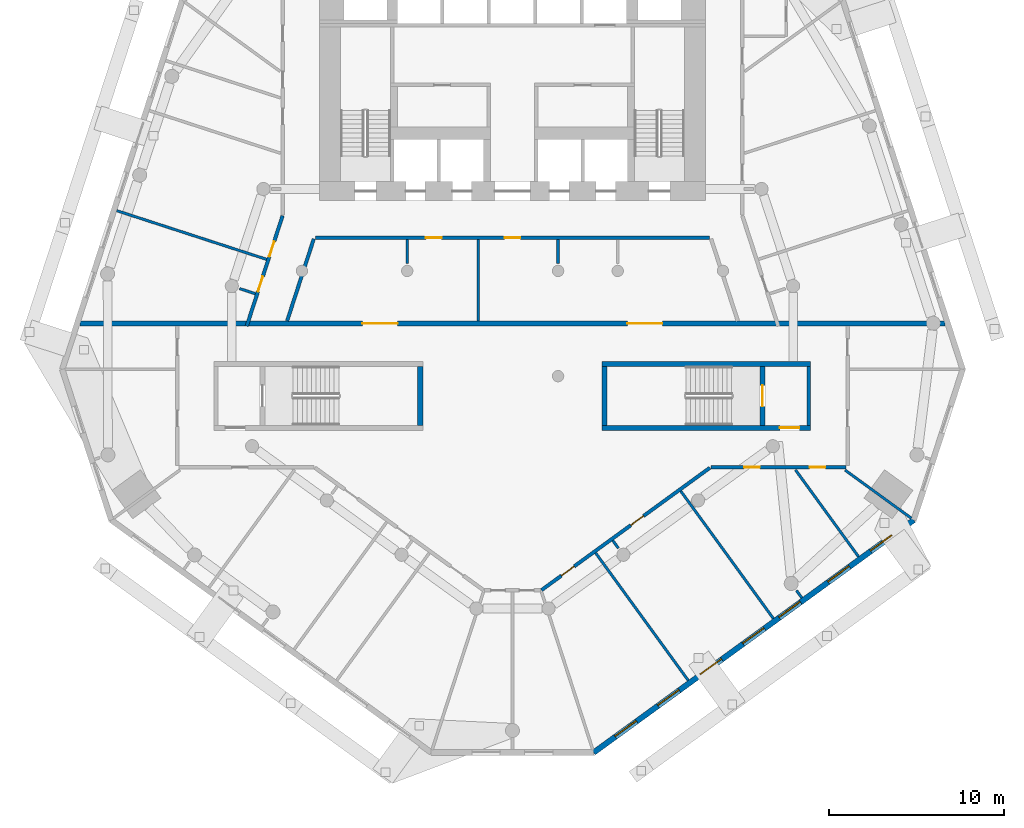
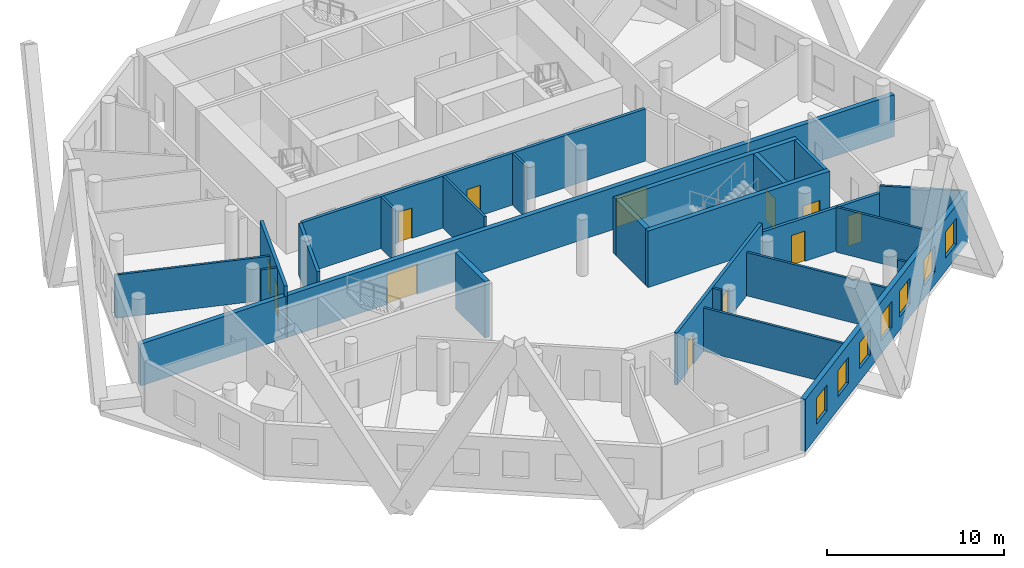
# One storey, part 4 of 10: 24 walls, 12 doors, 7 windows, 19 openings.
"""IFC4 building model written with IfcOpenShell, lengths in metres."""

from ifc_helpers import new_model, si_unit, direction, frame, frame_2d, origin, place, context, subcontext, project, spatial, rectangle, extrude, material, layer, layer_set, type_object, element, fill, save


model = new_model("IFC4")

# Units and contexts
model_context = context("Model", 3, precision=1e-05, world=origin(), true_north=direction((0.0, 1.0)))
body_context = subcontext(model_context, "Body", "Model", "MODEL_VIEW")
ifc_project = project(units=[si_unit("LENGTHUNIT", "METRE"), si_unit("AREAUNIT", "SQUARE_METRE"), si_unit("VOLUMEUNIT", "CUBIC_METRE"), si_unit("PLANEANGLEUNIT", "RADIAN"), si_unit("MASSUNIT", "GRAM", prefix="KILO")], contexts=[model_context])

# Site, building, storey
site_placement = place(None, origin())
site = spatial("IfcSite", under=ifc_project, at=site_placement, CompositionType="ELEMENT")
building_placement = place(site_placement, origin())
building = spatial("IfcBuilding", under=site, at=building_placement, Name="White Candle Pilgrim Tower", CompositionType="ELEMENT")
storey_placement = place(building_placement, frame((0.0, 0.0, 102.5)))
storey = spatial("IfcBuildingStorey", under=building, at=storey_placement, Name="L22", CompositionType="ELEMENT", Elevation=102.5)

# Wall
ifc_material_1 = material(Name="Concrete C60/75", Category="concrete")
ifc_layer_1 = layer(ifc_material_1, 0.199951171875)
ifc_layer_set_1 = layer_set([ifc_layer_1], Name="Core wall 200 mm Concrete C60/75")
wall_type_1 = type_object("IfcWallType", Name="Core wall 200 mm Concrete C60/75", PredefinedType="SHEAR", material=ifc_layer_set_1)
wall_1_placement = place(storey_placement, frame((86.89990234375, 58.199951171875, 0.0), z_axis=(0.0, 0.0, 1.0), x_axis=(0.0, 1.0, 0.0)))
element("IfcWall", 1, at=wall_1_placement, inside=storey, type_object=wall_type_1, Name="WL-L22-C08", PredefinedType="SHEAR", context=body_context, shape_type="SweptSolid", body=[
    extrude(rectangle(XDim=3.35009765625, YDim=0.199951171875, at=frame_2d((1.675048828125, 0.0))), origin(), (0.0, 0.0, 1.0), 3.89990234375),
])

# Wall, openings, doors
ifc_material_2 = material(Name="Gypsum board on steel studs", Category="steel")
ifc_layer_2 = layer(ifc_material_2, 0.199951171875)
ifc_layer_set_2 = layer_set([ifc_layer_2], Name="Corridor wall 200 mm EI 45")
wall_type_2 = type_object("IfcWallType", Name="Corridor wall 200 mm EI 45", PredefinedType="PARTITIONING", material=ifc_layer_set_2)
wall_2_placement = place(storey_placement, frame((54.850341796875, 63.85009765625, 0.0), z_axis=(0.0, 0.0, 1.0), x_axis=(0.309001809517, 0.951061450021, 0.0)))
wall_2 = element("IfcWall", 2, at=wall_2_placement, inside=storey, type_object=wall_type_2, Name="WL-L22-P002", PredefinedType="PARTITIONING", context=body_context, shape_type="SweptSolid", body=[
    extrude(rectangle(XDim=6.616943359375, YDim=0.199951171875, at=frame_2d((3.30859375, 0.0))), origin(), (0.0, 0.0, 1.0), 3.60009765625),
])
opening_1_placement = place(wall_2_placement, frame((2.076171875, 0.0, 0.0)))
opening_1 = element("IfcOpeningElement", 3, at=opening_1_placement, cuts=wall_2, Name="Opening T07-117", PredefinedType="OPENING", context=body_context, shape_type="SweptSolid", body=[
    extrude(rectangle(XDim=0.89990234375, YDim=2.10009765625, at=frame_2d((0.449951171875, 1.050048828125))), frame((0.0, 0.10986328125, 0.0), z_axis=(0.0, -1.0, 0.0), x_axis=(1.0, 0.0, 0.0)), (0.0, 0.0, 1.0), 0.219970703125),
])
opening_2_placement = place(wall_2_placement, frame((4.181884765625, 0.0, 0.0)))
opening_2 = element("IfcOpeningElement", 4, at=opening_2_placement, cuts=wall_2, Name="Opening T07-118", PredefinedType="OPENING", context=body_context, shape_type="SweptSolid", body=[
    extrude(rectangle(XDim=0.89990234375, YDim=2.10009765625, at=frame_2d((0.449951171875, 1.050048828125))), frame((0.0, 0.10986328125, 0.0), z_axis=(0.0, -1.0, 0.0), x_axis=(1.0, 0.0, 0.0)), (0.0, 0.0, 1.0), 0.219970703125),
])
ifc_material_3 = material(Name="Steel door leaf", Category="steel")
door_type_1 = type_object("IfcDoorType", Name="Fire door 900 x 2100 EI 30", OperationType="NOTDEFINED", PredefinedType="DOOR", material=ifc_material_3)
door_1_placement = place(opening_1_placement, origin())
door_1 = element("IfcDoor", 5, at=door_1_placement, inside=storey, type_object=door_type_1, Name="Door T07-117", OperationType="SINGLE_SWING_LEFT", OverallHeight=2.10009765625, OverallWidth=0.89990234375, PredefinedType="DOOR", context=body_context, shape_type="SweptSolid", body=[
    extrude(rectangle(XDim=0.89990234375, YDim=2.10009765625, at=frame_2d((0.449951171875, 1.050048828125))), frame((0.0, 0.02490234375, 0.0), z_axis=(0.0, -1.0, 0.0), x_axis=(1.0, 0.0, 0.0)), (0.0, 0.0, 1.0), 0.050048828125),
])
fill(opening_1, door_1)
door_2_placement = place(opening_2_placement, origin())
door_2 = element("IfcDoor", 6, at=door_2_placement, inside=storey, type_object=door_type_1, Name="Door T07-118", OperationType="SINGLE_SWING_RIGHT", OverallHeight=2.10009765625, OverallWidth=0.89990234375, PredefinedType="DOOR", context=body_context, shape_type="SweptSolid", body=[
    extrude(rectangle(XDim=0.89990234375, YDim=2.10009765625, at=frame_2d((0.449951171875, 1.050048828125))), frame((0.0, 0.02490234375, 0.0), z_axis=(0.0, -1.0, 0.0), x_axis=(1.0, 0.0, 0.0)), (0.0, 0.0, 1.0), 0.050048828125),
])
fill(opening_2, door_2)

wall_3_placement = place(storey_placement, frame((89.0, 55.800048828125, 0.0), z_axis=(0.0, 0.0, 1.0), x_axis=(-1.0, 0.0, 0.0)))
wall_3 = element("IfcWall", 7, at=wall_3_placement, inside=storey, type_object=wall_type_2, Name="WL-L22-P007", PredefinedType="PARTITIONING", context=body_context, shape_type="SweptSolid", body=[
    extrude(rectangle(XDim=7.68359375, YDim=0.199951171875, at=frame_2d((3.841796875, 0.0))), origin(), (0.0, 0.0, 1.0), 3.0),
])
opening_3_placement = place(wall_3_placement, frame((4.893310546875, 0.0, 0.0)))
opening_3 = element("IfcOpeningElement", 8, at=opening_3_placement, cuts=wall_3, Name="Opening T07-110", PredefinedType="OPENING", context=body_context, shape_type="SweptSolid", body=[
    extrude(rectangle(XDim=0.89990234375, YDim=2.10009765625, at=frame_2d((0.449951171875, 1.050048828125))), frame((0.0, 0.10986328125, 0.0), z_axis=(0.0, -1.0, 0.0), x_axis=(1.0, 0.0, 0.0)), (0.0, 0.0, 1.0), 0.219970703125),
])
opening_4_placement = place(wall_3_placement, frame((1.16162109375, 0.0, 0.0)))
opening_4 = element("IfcOpeningElement", 9, at=opening_4_placement, cuts=wall_3, Name="Opening T07-111", PredefinedType="OPENING", context=body_context, shape_type="SweptSolid", body=[
    extrude(rectangle(XDim=0.89990234375, YDim=2.10009765625, at=frame_2d((0.449951171875, 1.050048828125))), frame((0.0, 0.10986328125, 0.0), z_axis=(0.0, -1.0, 0.0), x_axis=(1.0, 0.0, 0.0)), (0.0, 0.0, 1.0), 0.219970703125),
])
door_3_placement = place(opening_3_placement, origin())
door_3 = element("IfcDoor", 10, at=door_3_placement, inside=storey, type_object=door_type_1, Name="Door T07-110", OperationType="SINGLE_SWING_RIGHT", OverallHeight=2.10009765625, OverallWidth=0.89990234375, PredefinedType="DOOR", context=body_context, shape_type="SweptSolid", body=[
    extrude(rectangle(XDim=0.89990234375, YDim=2.10009765625, at=frame_2d((0.449951171875, 1.050048828125))), frame((0.0, 0.02490234375, 0.0), z_axis=(0.0, -1.0, 0.0), x_axis=(1.0, 0.0, 0.0)), (0.0, 0.0, 1.0), 0.050048828125),
])
fill(opening_3, door_3)
door_4_placement = place(opening_4_placement, origin())
door_4 = element("IfcDoor", 11, at=door_4_placement, inside=storey, type_object=door_type_1, Name="Door T07-111", OperationType="SINGLE_SWING_LEFT", OverallHeight=2.10009765625, OverallWidth=0.89990234375, PredefinedType="DOOR", context=body_context, shape_type="SweptSolid", body=[
    extrude(rectangle(XDim=0.89990234375, YDim=2.10009765625, at=frame_2d((0.449951171875, 1.050048828125))), frame((0.0, 0.02490234375, 0.0), z_axis=(0.0, -1.0, 0.0), x_axis=(1.0, 0.0, 0.0)), (0.0, 0.0, 1.0), 0.050048828125),
])
fill(opening_4, door_4)

wall_4_placement = place(storey_placement, frame((81.2578125, 55.781005859375, 0.0), z_axis=(0.0, 0.0, 1.0), x_axis=(-0.809017945603, -0.587783943037, 0.0)))
wall_4 = element("IfcWall", 12, at=wall_4_placement, inside=storey, type_object=wall_type_2, Name="WL-L22-P008", PredefinedType="PARTITIONING", context=body_context, shape_type="SweptSolid", body=[
    extrude(rectangle(XDim=11.86962890625, YDim=0.199951171875, at=frame_2d((5.934814453125, 0.0))), origin(), (0.0, 0.0, 1.0), 3.60009765625),
])
opening_5_placement = place(wall_4_placement, frame((9.565185546875, 0.0, 0.0)))
opening_5 = element("IfcOpeningElement", 13, at=opening_5_placement, cuts=wall_4, Name="Opening T07-108", PredefinedType="OPENING", context=body_context, shape_type="SweptSolid", body=[
    extrude(rectangle(XDim=0.89990234375, YDim=2.10009765625, at=frame_2d((0.449951171875, 1.050048828125))), frame((0.0, 0.10986328125, 0.0), z_axis=(0.0, -1.0, 0.0), x_axis=(1.0, 0.0, 0.0)), (0.0, 0.0, 1.0), 0.219970703125),
])
opening_6_placement = place(wall_4_placement, frame((4.678466796875, 0.0, 0.0)))
opening_6 = element("IfcOpeningElement", 14, at=opening_6_placement, cuts=wall_4, Name="Opening T07-109", PredefinedType="OPENING", context=body_context, shape_type="SweptSolid", body=[
    extrude(rectangle(XDim=0.89990234375, YDim=2.10009765625, at=frame_2d((0.449951171875, 1.050048828125))), frame((0.0, 0.10986328125, 0.0), z_axis=(0.0, -1.0, 0.0), x_axis=(1.0, 0.0, 0.0)), (0.0, 0.0, 1.0), 0.219970703125),
])
door_5_placement = place(opening_5_placement, origin())
door_5 = element("IfcDoor", 15, at=door_5_placement, inside=storey, type_object=door_type_1, Name="Door T07-108", OperationType="SINGLE_SWING_RIGHT", OverallHeight=2.10009765625, OverallWidth=0.89990234375, PredefinedType="DOOR", context=body_context, shape_type="SweptSolid", body=[
    extrude(rectangle(XDim=0.89990234375, YDim=2.10009765625, at=frame_2d((0.449951171875, 1.050048828125))), frame((0.0, 0.02490234375, 0.0), z_axis=(0.0, -1.0, 0.0), x_axis=(1.0, 0.0, 0.0)), (0.0, 0.0, 1.0), 0.050048828125),
])
fill(opening_5, door_5)
door_6_placement = place(opening_6_placement, origin())
door_6 = element("IfcDoor", 16, at=door_6_placement, inside=storey, type_object=door_type_1, Name="Door T07-109", OperationType="SINGLE_SWING_LEFT", OverallHeight=2.10009765625, OverallWidth=0.89990234375, PredefinedType="DOOR", context=body_context, shape_type="SweptSolid", body=[
    extrude(rectangle(XDim=0.89990234375, YDim=2.10009765625, at=frame_2d((0.449951171875, 1.050048828125))), frame((0.0, 0.02490234375, 0.0), z_axis=(0.0, -1.0, 0.0), x_axis=(1.0, 0.0, 0.0)), (0.0, 0.0, 1.0), 0.050048828125),
])
fill(opening_6, door_6)

wall_5_placement = place(storey_placement, frame((81.22802734375, 68.89990234375, 0.0), z_axis=(0.0, 0.0, 1.0), x_axis=(-1.0, 0.0, 0.0)))
wall_5 = element("IfcWall", 17, at=wall_5_placement, inside=storey, type_object=wall_type_2, Name="WL-L22-P013", PredefinedType="PARTITIONING", context=body_context, shape_type="SweptSolid", body=[
    extrude(rectangle(XDim=22.4560546875, YDim=0.199951171875, at=frame_2d((11.22802734375, 0.0))), origin(), (0.0, 0.0, 1.0), 3.60009765625),
])
opening_7_placement = place(wall_5_placement, frame((10.778076171875, 0.0, 0.0)))
opening_7 = element("IfcOpeningElement", 18, at=opening_7_placement, cuts=wall_5, Name="Opening T07-128", PredefinedType="OPENING", context=body_context, shape_type="SweptSolid", body=[
    extrude(rectangle(XDim=0.89990234375, YDim=2.10009765625, at=frame_2d((0.449951171875, 1.050048828125))), frame((0.0, 0.10986328125, 0.0), z_axis=(0.0, -1.0, 0.0), x_axis=(1.0, 0.0, 0.0)), (0.0, 0.0, 1.0), 0.219970703125),
])
opening_8_placement = place(wall_5_placement, frame((15.269287109375, 0.0, 0.0)))
opening_8 = element("IfcOpeningElement", 19, at=opening_8_placement, cuts=wall_5, Name="Opening T07-129", PredefinedType="OPENING", context=body_context, shape_type="SweptSolid", body=[
    extrude(rectangle(XDim=0.89990234375, YDim=2.10009765625, at=frame_2d((0.449951171875, 1.050048828125))), frame((0.0, 0.10986328125, 0.0), z_axis=(0.0, -1.0, 0.0), x_axis=(1.0, 0.0, 0.0)), (0.0, 0.0, 1.0), 0.219970703125),
])
door_7_placement = place(opening_7_placement, origin())
door_7 = element("IfcDoor", 20, at=door_7_placement, inside=storey, type_object=door_type_1, Name="Door T07-128", OperationType="SINGLE_SWING_RIGHT", OverallHeight=2.10009765625, OverallWidth=0.89990234375, PredefinedType="DOOR", context=body_context, shape_type="SweptSolid", body=[
    extrude(rectangle(XDim=0.89990234375, YDim=2.10009765625, at=frame_2d((0.449951171875, 1.050048828125))), frame((0.0, 0.02490234375, 0.0), z_axis=(0.0, -1.0, 0.0), x_axis=(1.0, 0.0, 0.0)), (0.0, 0.0, 1.0), 0.050048828125),
])
fill(opening_7, door_7)
door_8_placement = place(opening_8_placement, origin())
door_8 = element("IfcDoor", 21, at=door_8_placement, inside=storey, type_object=door_type_1, Name="Door T07-129", OperationType="SINGLE_SWING_LEFT", OverallHeight=2.10009765625, OverallWidth=0.89990234375, PredefinedType="DOOR", context=body_context, shape_type="SweptSolid", body=[
    extrude(rectangle(XDim=0.89990234375, YDim=2.10009765625, at=frame_2d((0.449951171875, 1.050048828125))), frame((0.0, 0.02490234375, 0.0), z_axis=(0.0, -1.0, 0.0), x_axis=(1.0, 0.0, 0.0)), (0.0, 0.0, 1.0), 0.050048828125),
])
fill(opening_8, door_8)

# Wall
wall_6_placement = place(storey_placement, frame((58.6767578125, 68.830810546875, 0.0), z_axis=(0.0, 0.0, 1.0), x_axis=(-0.309031112369, -0.951051928965, 0.0)))
element("IfcWall", 22, at=wall_6_placement, inside=storey, type_object=wall_type_2, Name="WL-L22-P014", PredefinedType="PARTITIONING", context=body_context, shape_type="SweptSolid", body=[
    extrude(rectangle(XDim=4.921875, YDim=0.199951171875, at=frame_2d((2.4609375, 0.0))), origin(), (0.0, 0.0, 1.0), 3.60009765625),
])

# Wall, openings, windows
ifc_material_4 = material(Name="Precast concrete C40/50", Category="concrete")
ifc_layer_3 = layer(ifc_material_4, 0.320068359375)
ifc_layer_set_3 = layer_set([ifc_layer_3], Name="Facade wall EW1 precast concrete C40/50 pier wall with timber-lined reveals")
wall_type_3 = type_object("IfcWallType", Name="Facade wall EW1 precast concrete C40/50 pier wall with timber-lined reveals", PredefinedType="SOLIDWALL", material=ifc_layer_set_3)
wall_7_placement = place(storey_placement, frame((74.631103515625, 39.545166015625, 0.0), z_axis=(0.0, 0.0, 1.0), x_axis=(0.809019687389, 0.587781545659, 0.0)))
wall_7 = element("IfcWall", 23, at=wall_7_placement, inside=storey, type_object=wall_type_3, Name="Facade wall L22 SE", PredefinedType="SOLIDWALL", context=body_context, shape_type="SweptSolid", body=[
    extrude(rectangle(XDim=22.551513671875, YDim=0.320068359375, at=frame_2d((11.27587890625, 0.0))), origin(), (0.0, 0.0, 1.0), 3.60009765625),
])
opening_9_placement = place(wall_7_placement, frame((1.52587890625, 0.0, 0.89990234375)))
opening_9 = element("IfcOpeningElement", 24, at=opening_9_placement, cuts=wall_7, Name="Opening W1", PredefinedType="OPENING", context=body_context, shape_type="SweptSolid", body=[
    extrude(rectangle(XDim=1.5, YDim=1.800048828125, at=frame_2d((0.75, 0.89990234375))), frame((0.0, 0.169921875, 0.0), z_axis=(0.0, -1.0, 0.0), x_axis=(1.0, 0.0, 0.0)), (0.0, 0.0, 1.0), 0.340087890625),
])
opening_10_placement = place(wall_7_placement, frame((4.52587890625, 0.0, 0.89990234375)))
opening_10 = element("IfcOpeningElement", 25, at=opening_10_placement, cuts=wall_7, Name="Opening W1", PredefinedType="OPENING", context=body_context, shape_type="SweptSolid", body=[
    extrude(rectangle(XDim=1.5, YDim=1.800048828125, at=frame_2d((0.75, 0.89990234375))), frame((0.0, 0.169921875, 0.0), z_axis=(0.0, -1.0, 0.0), x_axis=(1.0, 0.0, 0.0)), (0.0, 0.0, 1.0), 0.340087890625),
])
opening_11_placement = place(wall_7_placement, frame((7.52587890625, 0.0, 0.89990234375)))
opening_11 = element("IfcOpeningElement", 26, at=opening_11_placement, cuts=wall_7, Name="Opening W1", PredefinedType="OPENING", context=body_context, shape_type="SweptSolid", body=[
    extrude(rectangle(XDim=1.5, YDim=1.800048828125, at=frame_2d((0.75, 0.89990234375))), frame((0.0, 0.169921875, 0.0), z_axis=(0.0, -1.0, 0.0), x_axis=(1.0, 0.0, 0.0)), (0.0, 0.0, 1.0), 0.340087890625),
])
opening_12_placement = place(wall_7_placement, frame((10.52587890625, 0.0, 0.89990234375)))
opening_12 = element("IfcOpeningElement", 27, at=opening_12_placement, cuts=wall_7, Name="Opening W1", PredefinedType="OPENING", context=body_context, shape_type="SweptSolid", body=[
    extrude(rectangle(XDim=1.5, YDim=1.800048828125, at=frame_2d((0.75, 0.89990234375))), frame((0.0, 0.169921875, 0.0), z_axis=(0.0, -1.0, 0.0), x_axis=(1.0, 0.0, 0.0)), (0.0, 0.0, 1.0), 0.340087890625),
])
opening_13_placement = place(wall_7_placement, frame((13.075927734375, 0.0, 0.89990234375)))
opening_13 = element("IfcOpeningElement", 28, at=opening_13_placement, cuts=wall_7, Name="Opening W1", PredefinedType="OPENING", context=body_context, shape_type="SweptSolid", body=[
    extrude(rectangle(XDim=1.5, YDim=1.800048828125, at=frame_2d((0.75, 0.89990234375))), frame((0.0, 0.169921875, 0.0), z_axis=(0.0, -1.0, 0.0), x_axis=(1.0, 0.0, 0.0)), (0.0, 0.0, 1.0), 0.340087890625),
])
opening_14_placement = place(wall_7_placement, frame((16.52587890625, 0.0, 0.89990234375)))
opening_14 = element("IfcOpeningElement", 29, at=opening_14_placement, cuts=wall_7, Name="Opening W1", PredefinedType="OPENING", context=body_context, shape_type="SweptSolid", body=[
    extrude(rectangle(XDim=1.5, YDim=1.800048828125, at=frame_2d((0.75, 0.89990234375))), frame((0.0, 0.169921875, 0.0), z_axis=(0.0, -1.0, 0.0), x_axis=(1.0, 0.0, 0.0)), (0.0, 0.0, 1.0), 0.340087890625),
])
opening_15_placement = place(wall_7_placement, frame((19.52587890625, 0.0, 0.89990234375)))
opening_15 = element("IfcOpeningElement", 30, at=opening_15_placement, cuts=wall_7, Name="Opening W1", PredefinedType="OPENING", context=body_context, shape_type="SweptSolid", body=[
    extrude(rectangle(XDim=1.5, YDim=1.800048828125, at=frame_2d((0.75, 0.89990234375))), frame((0.0, 0.169921875, 0.0), z_axis=(0.0, -1.0, 0.0), x_axis=(1.0, 0.0, 0.0)), (0.0, 0.0, 1.0), 0.340087890625),
])
ifc_material_5 = material(Name="Timber frame with triple glazing", Category="wood")
window_type = type_object("IfcWindowType", Name="Window W1 1500x1800 timber frame triple glazing", PartitioningType="SINGLE_PANEL", PredefinedType="WINDOW", material=ifc_material_5)
window_1_placement = place(opening_9_placement, origin())
window_1 = element("IfcWindow", 31, at=window_1_placement, inside=storey, type_object=window_type, Name="Window W1 L22 SE 1", OverallHeight=1.800048828125, OverallWidth=1.5, PartitioningType="SINGLE_PANEL", PredefinedType="WINDOW", context=body_context, shape_type="SweptSolid", body=[
    extrude(rectangle(XDim=1.5, YDim=1.800048828125, at=frame_2d((0.75, 0.89990234375))), frame((0.0, 0.070068359375, 0.0), z_axis=(0.0, -1.0, 0.0), x_axis=(1.0, 0.0, 0.0)), (0.0, 0.0, 1.0), 0.06005859375),
])
fill(opening_9, window_1)
window_2_placement = place(opening_10_placement, origin())
window_2 = element("IfcWindow", 32, at=window_2_placement, inside=storey, type_object=window_type, Name="Window W1 L22 SE 2", OverallHeight=1.800048828125, OverallWidth=1.5, PartitioningType="SINGLE_PANEL", PredefinedType="WINDOW", context=body_context, shape_type="SweptSolid", body=[
    extrude(rectangle(XDim=1.5, YDim=1.800048828125, at=frame_2d((0.75, 0.89990234375))), frame((0.0, 0.070068359375, 0.0), z_axis=(0.0, -1.0, 0.0), x_axis=(1.0, 0.0, 0.0)), (0.0, 0.0, 1.0), 0.06005859375),
])
fill(opening_10, window_2)
window_3_placement = place(opening_11_placement, origin())
window_3 = element("IfcWindow", 33, at=window_3_placement, inside=storey, type_object=window_type, Name="Window W1 L22 SE 3", OverallHeight=1.800048828125, OverallWidth=1.5, PartitioningType="SINGLE_PANEL", PredefinedType="WINDOW", context=body_context, shape_type="SweptSolid", body=[
    extrude(rectangle(XDim=1.5, YDim=1.800048828125, at=frame_2d((0.75, 0.89990234375))), frame((0.0, 0.070068359375, 0.0), z_axis=(0.0, -1.0, 0.0), x_axis=(1.0, 0.0, 0.0)), (0.0, 0.0, 1.0), 0.06005859375),
])
fill(opening_11, window_3)
window_4_placement = place(opening_12_placement, origin())
window_4 = element("IfcWindow", 34, at=window_4_placement, inside=storey, type_object=window_type, Name="Window W1 L22 SE 4", OverallHeight=1.800048828125, OverallWidth=1.5, PartitioningType="SINGLE_PANEL", PredefinedType="WINDOW", context=body_context, shape_type="SweptSolid", body=[
    extrude(rectangle(XDim=1.5, YDim=1.800048828125, at=frame_2d((0.75, 0.89990234375))), frame((0.0, 0.070068359375, 0.0), z_axis=(0.0, -1.0, 0.0), x_axis=(1.0, 0.0, 0.0)), (0.0, 0.0, 1.0), 0.06005859375),
])
fill(opening_12, window_4)
window_5_placement = place(opening_13_placement, origin())
window_5 = element("IfcWindow", 35, at=window_5_placement, inside=storey, type_object=window_type, Name="Window W1 L22 SE 5", OverallHeight=1.800048828125, OverallWidth=1.5, PartitioningType="SINGLE_PANEL", PredefinedType="WINDOW", context=body_context, shape_type="SweptSolid", body=[
    extrude(rectangle(XDim=1.5, YDim=1.800048828125, at=frame_2d((0.75, 0.89990234375))), frame((0.0, 0.070068359375, 0.0), z_axis=(0.0, -1.0, 0.0), x_axis=(1.0, 0.0, 0.0)), (0.0, 0.0, 1.0), 0.06005859375),
])
fill(opening_13, window_5)
window_6_placement = place(opening_14_placement, origin())
window_6 = element("IfcWindow", 36, at=window_6_placement, inside=storey, type_object=window_type, Name="Window W1 L22 SE 6", OverallHeight=1.800048828125, OverallWidth=1.5, PartitioningType="SINGLE_PANEL", PredefinedType="WINDOW", context=body_context, shape_type="SweptSolid", body=[
    extrude(rectangle(XDim=1.5, YDim=1.800048828125, at=frame_2d((0.75, 0.89990234375))), frame((0.0, 0.070068359375, 0.0), z_axis=(0.0, -1.0, 0.0), x_axis=(1.0, 0.0, 0.0)), (0.0, 0.0, 1.0), 0.06005859375),
])
fill(opening_14, window_6)
window_7_placement = place(opening_15_placement, origin())
window_7 = element("IfcWindow", 37, at=window_7_placement, inside=storey, type_object=window_type, Name="Window W1 L22 SE 7", OverallHeight=1.800048828125, OverallWidth=1.5, PartitioningType="SINGLE_PANEL", PredefinedType="WINDOW", context=body_context, shape_type="SweptSolid", body=[
    extrude(rectangle(XDim=1.5, YDim=1.800048828125, at=frame_2d((0.75, 0.89990234375))), frame((0.0, 0.070068359375, 0.0), z_axis=(0.0, -1.0, 0.0), x_axis=(1.0, 0.0, 0.0)), (0.0, 0.0, 1.0), 0.06005859375),
])
fill(opening_15, window_7)

# Wall, openings, doors
ifc_material_6 = material(Name="Aerated concrete block", Category="concrete")
ifc_layer_4 = layer(ifc_material_6, 0.300048828125)
ifc_layer_set_4 = layer_set([ifc_layer_4], Name="Fire wall 300 mm REI 240")
wall_type_4 = type_object("IfcWallType", Name="Fire wall 300 mm REI 240", PredefinedType="PARTITIONING", material=ifc_layer_set_4)
wall_8_placement = place(storey_placement, frame((45.351806640625, 64.0, 0.0), z_axis=(0.0, 0.0, 1.0), x_axis=(1.0, 0.0, 0.0)))
wall_8 = element("IfcWall", 38, at=wall_8_placement, inside=storey, type_object=wall_type_4, Name="WL-L22-P001", PredefinedType="PARTITIONING", context=body_context, shape_type="SweptSolid", body=[
    extrude(rectangle(XDim=49.29638671875, YDim=0.300048828125, at=frame_2d((24.648193359375, 0.0))), origin(), (0.0, 0.0, 1.0), 2.89990234375),
])
opening_16_placement = place(wall_8_placement, frame((16.09765625, 0.0, 0.0)))
opening_16 = element("IfcOpeningElement", 39, at=opening_16_placement, cuts=wall_8, Name="Opening T07-114", PredefinedType="OPENING", context=body_context, shape_type="SweptSolid", body=[
    extrude(rectangle(XDim=2.0, YDim=2.10009765625, at=frame_2d((1.0, 1.050048828125))), frame((0.0, 0.159912109375, 0.0), z_axis=(0.0, -1.0, 0.0), x_axis=(1.0, 0.0, 0.0)), (0.0, 0.0, 1.0), 0.320068359375),
])
opening_17_placement = place(wall_8_placement, frame((31.19873046875, 0.0, 0.0)))
opening_17 = element("IfcOpeningElement", 40, at=opening_17_placement, cuts=wall_8, Name="Opening T07-115", PredefinedType="OPENING", context=body_context, shape_type="SweptSolid", body=[
    extrude(rectangle(XDim=2.0, YDim=2.10009765625, at=frame_2d((1.0, 1.050048828125))), frame((0.0, 0.159912109375, 0.0), z_axis=(0.0, -1.0, 0.0), x_axis=(1.0, 0.0, 0.0)), (0.0, 0.0, 1.0), 0.320068359375),
])
door_type_2 = type_object("IfcDoorType", Name="Fire door 2000 x 2100 EI 60", OperationType="NOTDEFINED", PredefinedType="DOOR", material=ifc_material_3)
door_9_placement = place(opening_16_placement, origin())
door_9 = element("IfcDoor", 41, at=door_9_placement, inside=storey, type_object=door_type_2, Name="Door T07-114", OperationType="DOUBLE_DOOR_SINGLE_SWING", OverallHeight=2.10009765625, OverallWidth=2.0, PredefinedType="DOOR", context=body_context, shape_type="SweptSolid", body=[
    extrude(rectangle(XDim=2.0, YDim=2.10009765625, at=frame_2d((1.0, 1.050048828125))), frame((0.0, 0.02490234375, 0.0), z_axis=(0.0, -1.0, 0.0), x_axis=(1.0, 0.0, 0.0)), (0.0, 0.0, 1.0), 0.050048828125),
])
fill(opening_16, door_9)
door_10_placement = place(opening_17_placement, origin())
door_10 = element("IfcDoor", 42, at=door_10_placement, inside=storey, type_object=door_type_2, Name="Door T07-115", OperationType="DOUBLE_DOOR_SINGLE_SWING", OverallHeight=2.10009765625, OverallWidth=2.0, PredefinedType="DOOR", context=body_context, shape_type="SweptSolid", body=[
    extrude(rectangle(XDim=2.0, YDim=2.10009765625, at=frame_2d((1.0, 1.050048828125))), frame((0.0, 0.02490234375, 0.0), z_axis=(0.0, -1.0, 0.0), x_axis=(1.0, 0.0, 0.0)), (0.0, 0.0, 1.0), 0.050048828125),
])
fill(opening_17, door_10)

# Walls
ifc_layer_5 = layer(ifc_material_2, 0.14990234375)
ifc_layer_set_5 = layer_set([ifc_layer_5], Name="Partition 150 mm EI 60")
wall_type_5 = type_object("IfcWallType", Name="Partition 150 mm EI 60", PredefinedType="PARTITIONING", material=ifc_layer_set_5)
wall_9_placement = place(storey_placement, frame((92.739501953125, 52.8994140625, 0.0), z_axis=(0.0, 0.0, 1.0), x_axis=(-0.808989118663, 0.587823618005, 0.0)))
element("IfcWall", 43, at=wall_9_placement, inside=storey, type_object=wall_type_5, Name="WL-L22-P021", PredefinedType="PARTITIONING", context=body_context, shape_type="SweptSolid", body=[
    extrude(rectangle(XDim=4.671630859375, YDim=0.14990234375, at=frame_2d((2.3359375, 0.0))), origin(), (0.0, 0.0, 1.0), 3.60009765625),
])
for number, where, z_axis, x_axis, name in (
    (44, (47.442138671875, 70.433837890625, 0.0), (0.0, 0.0, 1.0), (0.951059239389, -0.309008613427, 0.0), "WL-L22-P027"),
    (45, (80.018798828125, 43.6572265625, 0.0), (0.0, 0.0, 1.0), (-0.587790127827, 0.809013452069, 0.0), "WL-L22-P032"),
    (46, (84.872802734375, 47.18408203125, 0.0), (0.0, 0.0, 1.0), (-0.587790127827, 0.809013452069, 0.0), "WL-L22-P033"),
):
    element("IfcWall", number, at=place(storey_placement, frame(where, z_axis=z_axis, x_axis=x_axis)), inside=storey, type_object=wall_type_5, Name=name, PredefinedType="PARTITIONING", context=body_context, shape_type="SweptSolid", body=[
        extrude(rectangle(XDim=8.97998046875, YDim=0.14990234375, at=frame_2d((4.489990234375, 0.0))), origin(), (0.0, 0.0, 1.0), 3.0),
    ])
wall_10_placement = place(storey_placement, frame((89.72705078125, 50.710693359375, 0.0), z_axis=(0.0, 0.0, 1.0), x_axis=(-0.587789292406, 0.809014059045, 0.0)))
element("IfcWall", 47, at=wall_10_placement, inside=storey, type_object=wall_type_5, Name="WL-L22-P034", PredefinedType="PARTITIONING", context=body_context, shape_type="SweptSolid", body=[
    extrude(rectangle(XDim=6.11279296875, YDim=0.14990234375, at=frame_2d((3.056396484375, 0.0))), origin(), (0.0, 0.0, 1.0), 3.10009765625),
])
wall_11_placement = place(storey_placement, frame((68.053466796875, 64.14990234375, 0.0), z_axis=(0.0, 0.0, 1.0), x_axis=(0.0, 1.0, 0.0)))
element("IfcWall", 48, at=wall_11_placement, inside=storey, type_object=wall_type_5, Name="WL-L22-P040", PredefinedType="PARTITIONING", context=body_context, shape_type="SweptSolid", body=[
    extrude(rectangle(XDim=4.650146484375, YDim=0.14990234375, at=frame_2d((2.3251953125, 0.0))), origin(), (0.0, 0.0, 1.0), 3.60009765625),
])
wall_12_placement = place(storey_placement, frame((86.18603515625, 48.78955078125, 0.0), z_axis=(0.0, 0.0, 1.0), x_axis=(0.5877034691, -0.809076407027, 0.0)))
element("IfcWall", 49, at=wall_12_placement, inside=storey, type_object=wall_type_5, Name="WL-L22-P044", PredefinedType="PARTITIONING", context=body_context, shape_type="SweptSolid", body=[
    extrude(rectangle(XDim=0.527099609375, YDim=0.14990234375, at=frame_2d((0.263671875, 0.0))), origin(), (0.0, 0.0, 1.0), 3.60009765625),
])
wall_13_placement = place(storey_placement, frame((76.039306640625, 51.190673828125, 0.0), z_axis=(0.0, 0.0, 1.0), x_axis=(-0.588065412804, 0.808813371714, 0.0)))
element("IfcWall", 50, at=wall_13_placement, inside=storey, type_object=wall_type_5, Name="WL-L22-P048", PredefinedType="PARTITIONING", context=body_context, shape_type="SweptSolid", body=[
    extrude(rectangle(XDim=0.54638671875, YDim=0.14990234375, at=frame_2d((0.273193359375, 0.0))), origin(), (0.0, 0.0, 1.0), 3.60009765625),
])
wall_14_placement = place(storey_placement, frame((54.441162109375, 65.992919921875, 0.0), z_axis=(0.0, 0.0, 1.0), x_axis=(0.951068009431, -0.308981619901, 0.0)))
element("IfcWall", 51, at=wall_14_placement, inside=storey, type_object=wall_type_5, Name="WL-L22-P052", PredefinedType="PARTITIONING", context=body_context, shape_type="SweptSolid", body=[
    extrude(rectangle(XDim=0.951416015625, YDim=0.14990234375, at=frame_2d((0.4755859375, 0.0))), origin(), (0.0, 0.0, 1.0), 3.60009765625),
])
for number, where, z_axis, x_axis, name in (
    (52, (63.997802734375, 67.4150390625, 0.0), (0.0, 0.0, 1.0), (0.0, 1.0, 0.0), "WL-L22-P053"),
    (53, (72.59765625, 67.4150390625, 0.0), (0.0, 0.0, 1.0), (0.0, 1.0, 0.0), "WL-L22-P054"),
):
    element("IfcWall", number, at=place(storey_placement, frame(where, z_axis=z_axis, x_axis=x_axis)), inside=storey, type_object=wall_type_5, Name=name, PredefinedType="PARTITIONING", context=body_context, shape_type="SweptSolid", body=[
        extrude(rectangle(XDim=1.385009765625, YDim=0.14990234375, at=frame_2d((0.6923828125, 0.0))), origin(), (0.0, 0.0, 1.0), 3.60009765625),
    ])

# Wall, opening, door
ifc_layer_6 = layer(ifc_material_1, 0.300048828125)
ifc_layer_set_6 = layer_set([ifc_layer_6], Name="Stair shaft wall 300 mm Concrete C60/75")
wall_type_6 = type_object("IfcWallType", Name="Stair shaft wall 300 mm Concrete C60/75", PredefinedType="SHEAR", material=ifc_layer_set_6)
wall_15_placement = place(storey_placement, frame((75.10009765625, 58.050048828125, 0.0), z_axis=(0.0, 0.0, 1.0), x_axis=(1.0, 0.0, 0.0)))
wall_15 = element("IfcWall", 54, at=wall_15_placement, inside=storey, type_object=wall_type_6, Name="WL-L22-C02", PredefinedType="SHEAR", context=body_context, shape_type="SweptSolid", body=[
    extrude(rectangle(XDim=11.89990234375, YDim=0.300048828125, at=frame_2d((5.949951171875, 0.0))), origin(), (0.0, 0.0, 1.0), 3.89990234375),
])
opening_18_placement = place(wall_15_placement, frame((10.14990234375, 0.0, 0.0)))
opening_18 = element("IfcOpeningElement", 55, at=opening_18_placement, cuts=wall_15, Name="Opening T07-009", PredefinedType="OPENING", context=body_context, shape_type="SweptSolid", body=[
    extrude(rectangle(XDim=1.10009765625, YDim=2.10009765625, at=frame_2d((0.550048828125, 1.050048828125))), frame((0.0, 0.159912109375, 0.0), z_axis=(0.0, -1.0, 0.0), x_axis=(1.0, 0.0, 0.0)), (0.0, 0.0, 1.0), 0.320068359375),
])
door_type_3 = type_object("IfcDoorType", Name="Fire door 1100 x 2100 EI 60", OperationType="NOTDEFINED", PredefinedType="DOOR", material=ifc_material_3)
door_11_placement = place(opening_18_placement, origin())
door_11 = element("IfcDoor", 56, at=door_11_placement, inside=storey, type_object=door_type_3, Name="Door T07-009", OperationType="SINGLE_SWING_LEFT", OverallHeight=2.10009765625, OverallWidth=1.10009765625, PredefinedType="DOOR", context=body_context, shape_type="SweptSolid", body=[
    extrude(rectangle(XDim=1.10009765625, YDim=2.10009765625, at=frame_2d((0.550048828125, 1.050048828125))), frame((0.0, 0.02490234375, 0.0), z_axis=(0.0, -1.0, 0.0), x_axis=(1.0, 0.0, 0.0)), (0.0, 0.0, 1.0), 0.050048828125),
])
fill(opening_18, door_11)

# Walls
for number, where, z_axis, x_axis, name in (
    (57, (64.75, 58.199951171875, 0.0), (0.0, 0.0, 1.0), (0.0, 1.0, 0.0), "WL-L22-C05"),
    (58, (75.25, 58.199951171875, 0.0), (0.0, 0.0, 1.0), (0.0, 1.0, 0.0), "WL-L22-C06"),
):
    element("IfcWall", number, at=place(storey_placement, frame(where, z_axis=z_axis, x_axis=x_axis)), inside=storey, type_object=wall_type_6, Name=name, PredefinedType="SHEAR", context=body_context, shape_type="SweptSolid", body=[
        extrude(rectangle(XDim=3.35009765625, YDim=0.300048828125, at=frame_2d((1.675048828125, 0.0))), origin(), (0.0, 0.0, 1.0), 3.89990234375),
    ])

# Wall, opening, door
wall_16_placement = place(storey_placement, frame((84.25, 58.199951171875, 0.0), z_axis=(0.0, 0.0, 1.0), x_axis=(0.0, 1.0, 0.0)))
wall_16 = element("IfcWall", 59, at=wall_16_placement, inside=storey, type_object=wall_type_6, Name="WL-L22-C07", PredefinedType="SHEAR", context=body_context, shape_type="SweptSolid", body=[
    extrude(rectangle(XDim=3.35009765625, YDim=0.300048828125, at=frame_2d((1.675048828125, 0.0))), origin(), (0.0, 0.0, 1.0), 3.89990234375),
])
opening_19_placement = place(wall_16_placement, frame((1.074951171875, 0.0, 0.0)))
opening_19 = element("IfcOpeningElement", 60, at=opening_19_placement, cuts=wall_16, Name="Opening T07-010", PredefinedType="OPENING", context=body_context, shape_type="SweptSolid", body=[
    extrude(rectangle(XDim=1.199951171875, YDim=2.10009765625, at=frame_2d((0.60009765625, 1.050048828125))), frame((0.0, 0.159912109375, 0.0), z_axis=(0.0, -1.0, 0.0), x_axis=(1.0, 0.0, 0.0)), (0.0, 0.0, 1.0), 0.320068359375),
])
door_type_4 = type_object("IfcDoorType", Name="Fire door 1200 x 2100 EI 60", OperationType="NOTDEFINED", PredefinedType="DOOR", material=ifc_material_3)
door_12_placement = place(opening_19_placement, origin())
door_12 = element("IfcDoor", 61, at=door_12_placement, inside=storey, type_object=door_type_4, Name="Door T07-010", OperationType="SINGLE_SWING_RIGHT", OverallHeight=2.10009765625, OverallWidth=1.199951171875, PredefinedType="DOOR", context=body_context, shape_type="SweptSolid", body=[
    extrude(rectangle(XDim=1.199951171875, YDim=2.10009765625, at=frame_2d((0.60009765625, 1.050048828125))), frame((0.0, 0.02490234375, 0.0), z_axis=(0.0, -1.0, 0.0), x_axis=(1.0, 0.0, 0.0)), (0.0, 0.0, 1.0), 0.050048828125),
])
fill(opening_19, door_12)

# Wall
wall_17_placement = place(storey_placement, frame((75.10009765625, 61.699951171875, 0.0), z_axis=(0.0, 0.0, 1.0), x_axis=(1.0, 0.0, 0.0)))
element("IfcWall", 62, at=wall_17_placement, inside=storey, type_object=wall_type_6, Name="WL-L22-C10", PredefinedType="SHEAR", context=body_context, shape_type="SweptSolid", body=[
    extrude(rectangle(XDim=11.89990234375, YDim=0.300048828125, at=frame_2d((5.949951171875, 0.0))), origin(), (0.0, 0.0, 1.0), 3.89990234375),
])

save(model, "model.ifc")
